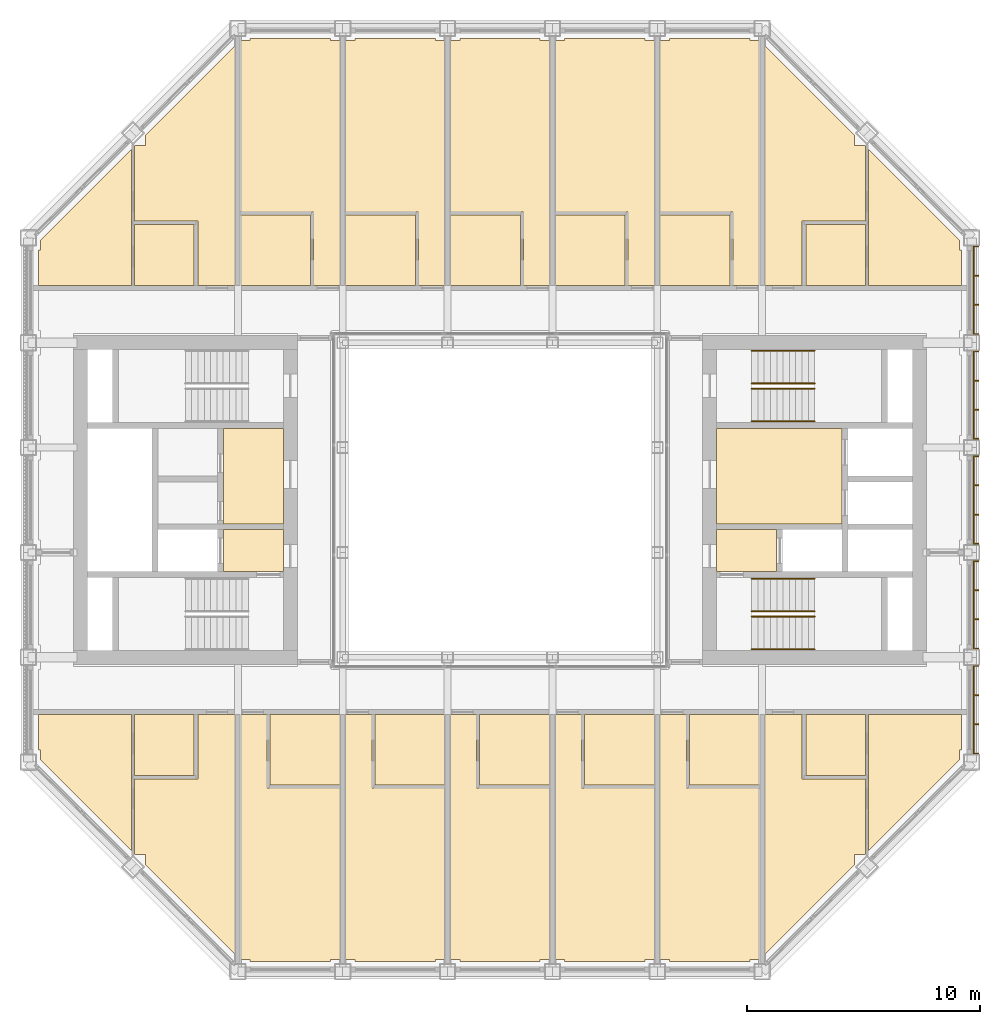
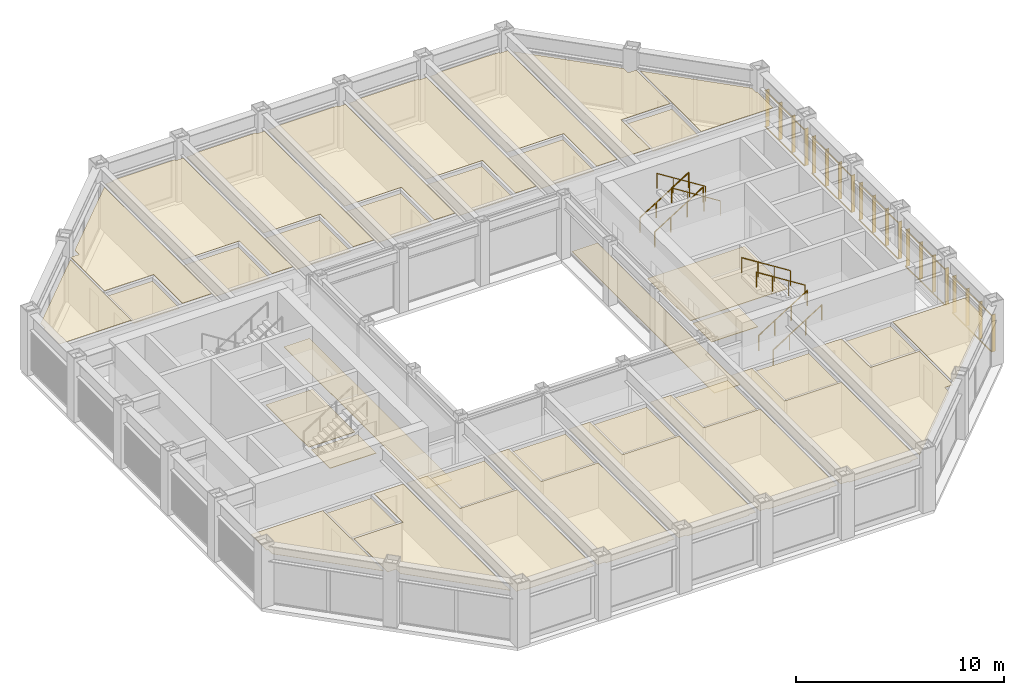
# One storey, part 17 of 18: 8 railings, 3 coverings, 1 shading device.
"""IFC4 building model written with IfcOpenShell, lengths in metres."""

from ifc_helpers import new_model, si_unit, direction, frame, origin, origin_2d, place, context, subcontext, project, spatial, line, indexed_curve, rectangle, circle, outline, extrude, material, layer, layer_set, type_object, element, save


model = new_model("IFC4")

# Units and contexts
model_context = context("Model", 3, precision=1e-05, world=origin(), true_north=direction((0.0, 1.0)))
body_context = subcontext(model_context, "Body", "Model", "MODEL_VIEW")
ifc_project = project(units=[si_unit("LENGTHUNIT", "METRE"), si_unit("AREAUNIT", "SQUARE_METRE"), si_unit("VOLUMEUNIT", "CUBIC_METRE"), si_unit("PLANEANGLEUNIT", "RADIAN"), si_unit("MASSUNIT", "GRAM", prefix="KILO")], contexts=[model_context])

# Site, building, storey
site_placement = place(None, origin())
site = spatial("IfcSite", under=ifc_project, at=site_placement, CompositionType="ELEMENT")
building_placement = place(site_placement, origin())
building = spatial("IfcBuilding", under=site, at=building_placement, Name="Msasa Ring Tower", CompositionType="ELEMENT")
storey_placement = place(building_placement, frame((0.0, 0.0, 204.550048828125)))
storey = spatial("IfcBuildingStorey", under=building, at=storey_placement, Name="L53", CompositionType="ELEMENT", Elevation=204.550048828125)

# Shading device
ifc_material_1 = material(Name="Extruded terracotta on aluminium carriers", Category="masonry")
shading_device_type = type_object("IfcShadingDeviceType", Name="BS2 TERRACOTTA FIN SCREEN 40x200 AT 1350", PredefinedType="USERDEFINED", material=ifc_material_1)
shading_device_placement = place(storey_placement, origin())
element("IfcShadingDevice", 1, at=shading_device_placement, inside=storey, type_object=shading_device_type, Name="Terracotta fin screen E L53", ObjectType="BAGUETTE", PredefinedType="USERDEFINED", context=body_context, shape_type="SweptSolid", body=[
    extrude(rectangle(XDim=0.06005859375, YDim=0.0400390625, at=origin_2d()), frame((20.330078125, -10.89990234375, 0.329833984375), z_axis=(0.0, 1.0, 0.0), x_axis=(0.0, 0.0, 1.0)), (0.0, 0.0, 1.0), 3.800048828125),
    extrude(rectangle(XDim=0.06005859375, YDim=0.0400390625, at=origin_2d()), frame((20.330078125, -10.89990234375, 2.448974609375), z_axis=(0.0, 1.0, 0.0), x_axis=(0.0, 0.0, 1.0)), (0.0, 0.0, 1.0), 3.800048828125),
    extrude(rectangle(XDim=0.0400390625, YDim=0.199951171875, at=origin_2d()), frame((20.445068359375, -10.8798828125, 0.300048828125), z_axis=(0.0, 0.0, 1.0), x_axis=(0.0, 1.0, 0.0)), (0.0, 0.0, 1.0), 2.178955078125),
    extrude(rectangle(XDim=0.0400390625, YDim=0.199951171875, at=origin_2d()), frame((20.445068359375, -9.626708984375, 0.300048828125), z_axis=(0.0, 0.0, 1.0), x_axis=(0.0, 1.0, 0.0)), (0.0, 0.0, 1.0), 2.178955078125),
    extrude(rectangle(XDim=0.0400390625, YDim=0.199951171875, at=origin_2d()), frame((20.445068359375, -8.373291015625, 0.300048828125), z_axis=(0.0, 0.0, 1.0), x_axis=(0.0, 1.0, 0.0)), (0.0, 0.0, 1.0), 2.178955078125),
    extrude(rectangle(XDim=0.0400390625, YDim=0.199951171875, at=origin_2d()), frame((20.445068359375, -7.1201171875, 0.300048828125), z_axis=(0.0, 0.0, 1.0), x_axis=(0.0, 1.0, 0.0)), (0.0, 0.0, 1.0), 2.178955078125),
    extrude(rectangle(XDim=0.06005859375, YDim=0.0400390625, at=origin_2d()), frame((20.330078125, -6.39990234375, 0.329833984375), z_axis=(0.0, 1.0, 0.0), x_axis=(0.0, 0.0, 1.0)), (0.0, 0.0, 1.0), 3.800048828125),
    extrude(rectangle(XDim=0.06005859375, YDim=0.0400390625, at=origin_2d()), frame((20.330078125, -6.39990234375, 2.448974609375), z_axis=(0.0, 1.0, 0.0), x_axis=(0.0, 0.0, 1.0)), (0.0, 0.0, 1.0), 3.800048828125),
    extrude(rectangle(XDim=0.0400390625, YDim=0.199951171875, at=origin_2d()), frame((20.445068359375, -6.3798828125, 0.300048828125), z_axis=(0.0, 0.0, 1.0), x_axis=(0.0, 1.0, 0.0)), (0.0, 0.0, 1.0), 2.178955078125),
    extrude(rectangle(XDim=0.0400390625, YDim=0.199951171875, at=origin_2d()), frame((20.445068359375, -5.126708984375, 0.300048828125), z_axis=(0.0, 0.0, 1.0), x_axis=(0.0, 1.0, 0.0)), (0.0, 0.0, 1.0), 2.178955078125),
    extrude(rectangle(XDim=0.0400390625, YDim=0.199951171875, at=origin_2d()), frame((20.445068359375, -3.873291015625, 0.300048828125), z_axis=(0.0, 0.0, 1.0), x_axis=(0.0, 1.0, 0.0)), (0.0, 0.0, 1.0), 2.178955078125),
    extrude(rectangle(XDim=0.0400390625, YDim=0.199951171875, at=origin_2d()), frame((20.445068359375, -2.6201171875, 0.300048828125), z_axis=(0.0, 0.0, 1.0), x_axis=(0.0, 1.0, 0.0)), (0.0, 0.0, 1.0), 2.178955078125),
    extrude(rectangle(XDim=0.06005859375, YDim=0.0400390625, at=origin_2d()), frame((20.330078125, -1.89990234375, 0.329833984375), z_axis=(0.0, 1.0, 0.0), x_axis=(0.0, 0.0, 1.0)), (0.0, 0.0, 1.0), 3.800048828125),
    extrude(rectangle(XDim=0.06005859375, YDim=0.0400390625, at=origin_2d()), frame((20.330078125, -1.89990234375, 2.448974609375), z_axis=(0.0, 1.0, 0.0), x_axis=(0.0, 0.0, 1.0)), (0.0, 0.0, 1.0), 3.800048828125),
    extrude(rectangle(XDim=0.0400390625, YDim=0.199951171875, at=origin_2d()), frame((20.445068359375, -1.8798828125, 0.300048828125), z_axis=(0.0, 0.0, 1.0), x_axis=(0.0, 1.0, 0.0)), (0.0, 0.0, 1.0), 2.178955078125),
    extrude(rectangle(XDim=0.0400390625, YDim=0.199951171875, at=origin_2d()), frame((20.445068359375, -0.626708984375, 0.300048828125), z_axis=(0.0, 0.0, 1.0), x_axis=(0.0, 1.0, 0.0)), (0.0, 0.0, 1.0), 2.178955078125),
    extrude(rectangle(XDim=0.0400390625, YDim=0.199951171875, at=origin_2d()), frame((20.445068359375, 0.626708984375, 0.300048828125), z_axis=(0.0, 0.0, 1.0), x_axis=(0.0, 1.0, 0.0)), (0.0, 0.0, 1.0), 2.178955078125),
    extrude(rectangle(XDim=0.0400390625, YDim=0.199951171875, at=origin_2d()), frame((20.445068359375, 1.8798828125, 0.300048828125), z_axis=(0.0, 0.0, 1.0), x_axis=(0.0, 1.0, 0.0)), (0.0, 0.0, 1.0), 2.178955078125),
    extrude(rectangle(XDim=0.06005859375, YDim=0.0400390625, at=origin_2d()), frame((20.330078125, 2.60009765625, 0.329833984375), z_axis=(0.0, 1.0, 0.0), x_axis=(0.0, 0.0, 1.0)), (0.0, 0.0, 1.0), 3.800048828125),
    extrude(rectangle(XDim=0.06005859375, YDim=0.0400390625, at=origin_2d()), frame((20.330078125, 2.60009765625, 2.448974609375), z_axis=(0.0, 1.0, 0.0), x_axis=(0.0, 0.0, 1.0)), (0.0, 0.0, 1.0), 3.800048828125),
    extrude(rectangle(XDim=0.0400390625, YDim=0.199951171875, at=origin_2d()), frame((20.445068359375, 2.6201171875, 0.300048828125), z_axis=(0.0, 0.0, 1.0), x_axis=(0.0, 1.0, 0.0)), (0.0, 0.0, 1.0), 2.178955078125),
    extrude(rectangle(XDim=0.0400390625, YDim=0.199951171875, at=origin_2d()), frame((20.445068359375, 3.873291015625, 0.300048828125), z_axis=(0.0, 0.0, 1.0), x_axis=(0.0, 1.0, 0.0)), (0.0, 0.0, 1.0), 2.178955078125),
    extrude(rectangle(XDim=0.0400390625, YDim=0.199951171875, at=origin_2d()), frame((20.445068359375, 5.126708984375, 0.300048828125), z_axis=(0.0, 0.0, 1.0), x_axis=(0.0, 1.0, 0.0)), (0.0, 0.0, 1.0), 2.178955078125),
    extrude(rectangle(XDim=0.0400390625, YDim=0.199951171875, at=origin_2d()), frame((20.445068359375, 6.3798828125, 0.300048828125), z_axis=(0.0, 0.0, 1.0), x_axis=(0.0, 1.0, 0.0)), (0.0, 0.0, 1.0), 2.178955078125),
    extrude(rectangle(XDim=0.06005859375, YDim=0.0400390625, at=origin_2d()), frame((20.330078125, 7.10009765625, 0.329833984375), z_axis=(0.0, 1.0, 0.0), x_axis=(0.0, 0.0, 1.0)), (0.0, 0.0, 1.0), 3.800048828125),
    extrude(rectangle(XDim=0.06005859375, YDim=0.0400390625, at=origin_2d()), frame((20.330078125, 7.10009765625, 2.448974609375), z_axis=(0.0, 1.0, 0.0), x_axis=(0.0, 0.0, 1.0)), (0.0, 0.0, 1.0), 3.800048828125),
    extrude(rectangle(XDim=0.0400390625, YDim=0.199951171875, at=origin_2d()), frame((20.445068359375, 7.1201171875, 0.300048828125), z_axis=(0.0, 0.0, 1.0), x_axis=(0.0, 1.0, 0.0)), (0.0, 0.0, 1.0), 2.178955078125),
    extrude(rectangle(XDim=0.0400390625, YDim=0.199951171875, at=origin_2d()), frame((20.445068359375, 8.373291015625, 0.300048828125), z_axis=(0.0, 0.0, 1.0), x_axis=(0.0, 1.0, 0.0)), (0.0, 0.0, 1.0), 2.178955078125),
    extrude(rectangle(XDim=0.0400390625, YDim=0.199951171875, at=origin_2d()), frame((20.445068359375, 9.626708984375, 0.300048828125), z_axis=(0.0, 0.0, 1.0), x_axis=(0.0, 1.0, 0.0)), (0.0, 0.0, 1.0), 2.178955078125),
    extrude(rectangle(XDim=0.0400390625, YDim=0.199951171875, at=origin_2d()), frame((20.445068359375, 10.8798828125, 0.300048828125), z_axis=(0.0, 0.0, 1.0), x_axis=(0.0, 1.0, 0.0)), (0.0, 0.0, 1.0), 2.178955078125),
])

# Coverings
ifc_material_2 = material(Name="Gypsum plasterboard on a steel suspension grid", Category="steel")
ifc_layer_1 = layer(ifc_material_2, 0.014892578125)
ifc_layer_set_1 = layer_set([ifc_layer_1], Name="C1 SUSPENDED PLASTERBOARD CEILING 15")
covering_type_1 = type_object("IfcCoveringType", Name="C1 SUSPENDED PLASTERBOARD CEILING 15", PredefinedType="CEILING", material=ifc_layer_set_1)
covering_1_placement = place(storey_placement, frame((0.0, 0.0, 2.634033203125)))
element("IfcCovering", 2, at=covering_1_placement, inside=storey, type_object=covering_type_1, Name="Suspended Plasterboard Ceiling 15 L53", PredefinedType="CEILING", context=body_context, shape_type="SweptSolid", body=[
    extrude(outline(indexed_curve([(-15.810546875, -15.052490234375), (-19.724609375, -11.138427734375), (-19.724609375, -10.724609375), (-19.799560546875, -10.724609375), (-19.799560546875, -9.200439453125), (-15.810546875, -9.200439453125)], segments=[line(1, 2, 3, 4, 5, 6, 1)], self_intersect=False)), origin(), (0.0, 0.0, 1.0), 0.014892578125),
    extrude(outline(indexed_curve([(-19.799560546875, 9.200439453125), (-19.799560546875, 10.724609375), (-19.724609375, 10.724609375), (-19.724609375, 11.138427734375), (-15.810546875, 15.052490234375), (-15.810546875, 9.200439453125)], segments=[line(1, 2, 3, 4, 5, 6, 1)], self_intersect=False)), origin(), (0.0, 0.0, 1.0), 0.014892578125),
    extrude(outline(indexed_curve([(-11.3505859375, -9.200439453125), (-11.3505859375, -19.512451171875), (-15.224609375, -15.638427734375), (-15.224609375, -15.224609375), (-15.638427734375, -15.224609375), (-15.689453125, -15.17333984375), (-15.689453125, -11.98046875), (-12.969482421875, -11.98046875), (-12.969482421875, -9.200439453125)], segments=[line(1, 2, 3, 4, 5, 6, 7, 8, 9, 1)], self_intersect=False)), origin(), (0.0, 0.0, 1.0), 0.014892578125),
    extrude(outline(indexed_curve([(-15.638427734375, 15.224609375), (-15.224609375, 15.224609375), (-15.224609375, 15.638427734375), (-11.3505859375, 19.512451171875), (-11.3505859375, 9.200439453125), (-12.969482421875, 9.200439453125), (-12.969482421875, 11.98046875), (-15.689453125, 11.98046875), (-15.689453125, 15.17333984375)], segments=[line(1, 2, 3, 4, 5, 6, 7, 8, 9, 1)], self_intersect=False)), origin(), (0.0, 0.0, 1.0), 0.014892578125),
    extrude(outline(indexed_curve([(-10.724609375, -19.799560546875), (-10.724609375, -19.724609375), (-11.138427734375, -19.724609375), (-11.1494140625, -19.71337890625), (-11.1494140625, -9.200439453125), (-10.00048828125, -9.200439453125), (-10.00048828125, -12.3505859375), (-6.8505859375, -12.3505859375), (-6.8505859375, -19.724609375), (-7.275390625, -19.724609375), (-7.275390625, -19.799560546875)], segments=[line(1, 2, 3, 4, 5, 6, 7, 8, 9, 10, 11, 1)], self_intersect=False)), origin(), (0.0, 0.0, 1.0), 0.014892578125),
    extrude(outline(indexed_curve([(-7.275390625, 19.799560546875), (-7.275390625, 19.724609375), (-6.8505859375, 19.724609375), (-6.8505859375, 9.200439453125), (-7.99951171875, 9.200439453125), (-7.99951171875, 12.3505859375), (-11.1494140625, 12.3505859375), (-11.1494140625, 19.71337890625), (-11.138427734375, 19.724609375), (-10.724609375, 19.724609375), (-10.724609375, 19.799560546875)], segments=[line(1, 2, 3, 4, 5, 6, 7, 8, 9, 10, 11, 1)], self_intersect=False)), origin(), (0.0, 0.0, 1.0), 0.014892578125),
    extrude(outline(indexed_curve([(-6.224609375, -19.799560546875), (-6.224609375, -19.724609375), (-6.6494140625, -19.724609375), (-6.6494140625, -9.200439453125), (-5.50048828125, -9.200439453125), (-5.50048828125, -12.3505859375), (-2.3505859375, -12.3505859375), (-2.3505859375, -19.724609375), (-2.775390625, -19.724609375), (-2.775390625, -19.799560546875)], segments=[line(1, 2, 3, 4, 5, 6, 7, 8, 9, 10, 1)], self_intersect=False)), origin(), (0.0, 0.0, 1.0), 0.014892578125),
    extrude(outline(indexed_curve([(-2.3505859375, 9.200439453125), (-3.49951171875, 9.200439453125), (-3.49951171875, 12.3505859375), (-6.6494140625, 12.3505859375), (-6.6494140625, 19.724609375), (-6.224609375, 19.724609375), (-6.224609375, 19.799560546875), (-2.775390625, 19.799560546875), (-2.775390625, 19.724609375), (-2.3505859375, 19.724609375)], segments=[line(1, 2, 3, 4, 5, 6, 7, 8, 9, 10, 1)], self_intersect=False)), origin(), (0.0, 0.0, 1.0), 0.014892578125),
    extrude(outline(indexed_curve([(-1.724609375, -19.799560546875), (-1.724609375, -19.724609375), (-2.1494140625, -19.724609375), (-2.1494140625, -9.200439453125), (-1.00048828125, -9.200439453125), (-1.00048828125, -12.3505859375), (2.1494140625, -12.3505859375), (2.1494140625, -19.724609375), (1.724609375, -19.724609375), (1.724609375, -19.799560546875)], segments=[line(1, 2, 3, 4, 5, 6, 7, 8, 9, 10, 1)], self_intersect=False)), origin(), (0.0, 0.0, 1.0), 0.014892578125),
    extrude(outline(indexed_curve([(1.724609375, 19.799560546875), (1.724609375, 19.724609375), (2.1494140625, 19.724609375), (2.1494140625, 9.200439453125), (1.00048828125, 9.200439453125), (1.00048828125, 12.3505859375), (-2.1494140625, 12.3505859375), (-2.1494140625, 19.724609375), (-1.724609375, 19.724609375), (-1.724609375, 19.799560546875)], segments=[line(1, 2, 3, 4, 5, 6, 7, 8, 9, 10, 1)], self_intersect=False)), origin(), (0.0, 0.0, 1.0), 0.014892578125),
    extrude(outline(indexed_curve([(2.775390625, -19.799560546875), (2.775390625, -19.724609375), (2.3505859375, -19.724609375), (2.3505859375, -9.200439453125), (3.49951171875, -9.200439453125), (3.49951171875, -12.3505859375), (6.6494140625, -12.3505859375), (6.6494140625, -19.724609375), (6.224609375, -19.724609375), (6.224609375, -19.799560546875)], segments=[line(1, 2, 3, 4, 5, 6, 7, 8, 9, 10, 1)], self_intersect=False)), origin(), (0.0, 0.0, 1.0), 0.014892578125),
    extrude(outline(indexed_curve([(6.6494140625, 9.200439453125), (5.50048828125, 9.200439453125), (5.50048828125, 12.3505859375), (2.3505859375, 12.3505859375), (2.3505859375, 19.724609375), (2.775390625, 19.724609375), (2.775390625, 19.799560546875), (6.224609375, 19.799560546875), (6.224609375, 19.724609375), (6.6494140625, 19.724609375)], segments=[line(1, 2, 3, 4, 5, 6, 7, 8, 9, 10, 1)], self_intersect=False)), origin(), (0.0, 0.0, 1.0), 0.014892578125),
    extrude(outline(indexed_curve([(11.138427734375, -19.724609375), (10.724609375, -19.724609375), (10.724609375, -19.799560546875), (7.275390625, -19.799560546875), (7.275390625, -19.724609375), (6.8505859375, -19.724609375), (6.8505859375, -9.200439453125), (7.99951171875, -9.200439453125), (7.99951171875, -12.3505859375), (11.1494140625, -12.3505859375), (11.1494140625, -19.71337890625)], segments=[line(1, 2, 3, 4, 5, 6, 7, 8, 9, 10, 11, 1)], self_intersect=False)), origin(), (0.0, 0.0, 1.0), 0.014892578125),
    extrude(outline(indexed_curve([(11.1494140625, 19.71337890625), (11.1494140625, 9.200439453125), (10.00048828125, 9.200439453125), (10.00048828125, 12.3505859375), (6.8505859375, 12.3505859375), (6.8505859375, 19.724609375), (7.275390625, 19.724609375), (7.275390625, 19.799560546875), (10.724609375, 19.799560546875), (10.724609375, 19.724609375), (11.138427734375, 19.724609375)], segments=[line(1, 2, 3, 4, 5, 6, 7, 8, 9, 10, 11, 1)], self_intersect=False)), origin(), (0.0, 0.0, 1.0), 0.014892578125),
    extrude(outline(indexed_curve([(15.638427734375, -15.224609375), (15.224609375, -15.224609375), (15.224609375, -15.638427734375), (11.3505859375, -19.512451171875), (11.3505859375, -9.200439453125), (12.969482421875, -9.200439453125), (12.969482421875, -11.98046875), (15.689453125, -11.98046875), (15.689453125, -15.17333984375)], segments=[line(1, 2, 3, 4, 5, 6, 7, 8, 9, 1)], self_intersect=False)), origin(), (0.0, 0.0, 1.0), 0.014892578125),
    extrude(outline(indexed_curve([(11.3505859375, 9.200439453125), (11.3505859375, 19.512451171875), (15.224609375, 15.638427734375), (15.224609375, 15.224609375), (15.638427734375, 15.224609375), (15.689453125, 15.17333984375), (15.689453125, 11.98046875), (12.969482421875, 11.98046875), (12.969482421875, 9.200439453125)], segments=[line(1, 2, 3, 4, 5, 6, 7, 8, 9, 1)], self_intersect=False)), origin(), (0.0, 0.0, 1.0), 0.014892578125),
    extrude(outline(indexed_curve([(19.799560546875, -9.200439453125), (19.799560546875, -10.724609375), (19.724609375, -10.724609375), (19.724609375, -11.138427734375), (15.810546875, -15.052490234375), (15.810546875, -9.200439453125)], segments=[line(1, 2, 3, 4, 5, 6, 1)], self_intersect=False)), origin(), (0.0, 0.0, 1.0), 0.014892578125),
    extrude(outline(indexed_curve([(15.810546875, 15.052490234375), (19.724609375, 11.138427734375), (19.724609375, 10.724609375), (19.799560546875, 10.724609375), (19.799560546875, 9.200439453125), (15.810546875, 9.200439453125)], segments=[line(1, 2, 3, 4, 5, 6, 1)], self_intersect=False)), origin(), (0.0, 0.0, 1.0), 0.014892578125),
])
ifc_material_3 = material(Name="Moisture-resistant gypsum plasterboard on a steel suspension grid", Category="steel")
ifc_layer_2 = layer(ifc_material_3, 0.014892578125)
ifc_layer_set_2 = layer_set([ifc_layer_2], Name="C2 MOISTURE-RESISTANT PLASTERBOARD CEILING 15")
covering_type_2 = type_object("IfcCoveringType", Name="C2 MOISTURE-RESISTANT PLASTERBOARD CEILING 15", PredefinedType="CEILING", material=ifc_layer_set_2)
covering_2_placement = place(storey_placement, frame((0.0, 0.0, 2.39990234375)))
element("IfcCovering", 3, at=covering_2_placement, inside=storey, type_object=covering_type_2, Name="Moisture-Resistant Plasterboard Ceiling 15 L53", PredefinedType="CEILING", context=body_context, shape_type="SweptSolid", body=[
    extrude(outline(indexed_curve([(-15.689453125, -9.200439453125), (-13.130615234375, -9.200439453125), (-13.130615234375, -11.819580078125), (-15.689453125, -11.819580078125)], segments=[line(1, 2, 3, 4, 1)], self_intersect=False)), origin(), (0.0, 0.0, 1.0), 0.01513671875),
    extrude(outline(indexed_curve([(-15.689453125, 11.819580078125), (-13.130615234375, 11.819580078125), (-13.130615234375, 9.200439453125), (-15.689453125, 9.200439453125)], segments=[line(1, 2, 3, 4, 1)], self_intersect=False)), origin(), (0.0, 0.0, 1.0), 0.01513671875),
    extrude(outline(indexed_curve([(-11.1494140625, 12.224609375), (-8.12548828125, 12.224609375), (-8.12548828125, 9.200439453125), (-11.1494140625, 9.200439453125)], segments=[line(1, 2, 3, 4, 1)], self_intersect=False)), origin(), (0.0, 0.0, 1.0), 0.01513671875),
    extrude(outline(indexed_curve([(-6.8505859375, -9.200439453125), (-6.8505859375, -12.224609375), (-9.87451171875, -12.224609375), (-9.87451171875, -9.200439453125)], segments=[line(1, 2, 3, 4, 1)], self_intersect=False)), origin(), (0.0, 0.0, 1.0), 0.01513671875),
    extrude(outline(indexed_curve([(-6.6494140625, 9.200439453125), (-6.6494140625, 12.224609375), (-3.62548828125, 12.224609375), (-3.62548828125, 9.200439453125)], segments=[line(1, 2, 3, 4, 1)], self_intersect=False)), origin(), (0.0, 0.0, 1.0), 0.01513671875),
    extrude(outline(indexed_curve([(-2.3505859375, -9.200439453125), (-2.3505859375, -12.224609375), (-5.37451171875, -12.224609375), (-5.37451171875, -9.200439453125)], segments=[line(1, 2, 3, 4, 1)], self_intersect=False)), origin(), (0.0, 0.0, 1.0), 0.01513671875),
    extrude(outline(indexed_curve([(-2.1494140625, 12.224609375), (0.87451171875, 12.224609375), (0.87451171875, 9.200439453125), (-2.1494140625, 9.200439453125)], segments=[line(1, 2, 3, 4, 1)], self_intersect=False)), origin(), (0.0, 0.0, 1.0), 0.01513671875),
    extrude(outline(indexed_curve([(2.1494140625, -9.200439453125), (2.1494140625, -12.224609375), (-0.87451171875, -12.224609375), (-0.87451171875, -9.200439453125)], segments=[line(1, 2, 3, 4, 1)], self_intersect=False)), origin(), (0.0, 0.0, 1.0), 0.01513671875),
    extrude(outline(indexed_curve([(2.3505859375, 12.224609375), (5.37451171875, 12.224609375), (5.37451171875, 9.200439453125), (2.3505859375, 9.200439453125)], segments=[line(1, 2, 3, 4, 1)], self_intersect=False)), origin(), (0.0, 0.0, 1.0), 0.01513671875),
    extrude(outline(indexed_curve([(6.6494140625, -9.200439453125), (6.6494140625, -12.224609375), (3.62548828125, -12.224609375), (3.62548828125, -9.200439453125)], segments=[line(1, 2, 3, 4, 1)], self_intersect=False)), origin(), (0.0, 0.0, 1.0), 0.01513671875),
    extrude(outline(indexed_curve([(6.8505859375, 9.200439453125), (6.8505859375, 12.224609375), (9.87451171875, 12.224609375), (9.87451171875, 9.200439453125)], segments=[line(1, 2, 3, 4, 1)], self_intersect=False)), origin(), (0.0, 0.0, 1.0), 0.01513671875),
    extrude(outline(indexed_curve([(11.1494140625, -9.200439453125), (11.1494140625, -12.224609375), (8.12548828125, -12.224609375), (8.12548828125, -9.200439453125)], segments=[line(1, 2, 3, 4, 1)], self_intersect=False)), origin(), (0.0, 0.0, 1.0), 0.01513671875),
    extrude(outline(indexed_curve([(13.130615234375, -9.200439453125), (15.689453125, -9.200439453125), (15.689453125, -11.819580078125), (13.130615234375, -11.819580078125)], segments=[line(1, 2, 3, 4, 1)], self_intersect=False)), origin(), (0.0, 0.0, 1.0), 0.01513671875),
    extrude(outline(indexed_curve([(13.130615234375, 11.819580078125), (15.689453125, 11.819580078125), (15.689453125, 9.200439453125), (13.130615234375, 9.200439453125)], segments=[line(1, 2, 3, 4, 1)], self_intersect=False)), origin(), (0.0, 0.0, 1.0), 0.01513671875),
])
ifc_material_4 = material(Name="Honed granite tiles on a mortar bed", Category="masonry")
ifc_layer_3 = layer(ifc_material_4, 0.030029296875)
ifc_layer_set_3 = layer_set([ifc_layer_3], Name="F1 HONED GRANITE ON BEDDING 30")
covering_type_3 = type_object("IfcCoveringType", Name="F1 HONED GRANITE ON BEDDING 30", PredefinedType="FLOORING", material=ifc_layer_set_3)
covering_3_placement = place(storey_placement, origin())
element("IfcCovering", 4, at=covering_3_placement, inside=storey, type_object=covering_type_3, Name="Honed Granite On Bedding 30 L53", PredefinedType="FLOORING", context=body_context, shape_type="SweptSolid", body=[
    extrude(outline(indexed_curve([(-11.87451171875, -3.074462890625), (-11.87451171875, -1.275390625), (-9.300537109375, -1.275390625), (-9.300537109375, -3.074462890625)], segments=[line(1, 2, 3, 4, 1)], self_intersect=False)), origin(), (0.0, 0.0, 1.0), 0.030029296875),
    extrude(outline(indexed_curve([(-11.87451171875, 3.074462890625), (-9.300537109375, 3.074462890625), (-9.300537109375, -1.0244140625), (-11.87451171875, -1.0244140625)], segments=[line(1, 2, 3, 4, 1)], self_intersect=False)), origin(), (0.0, 0.0, 1.0), 0.030029296875),
    extrude(outline(indexed_curve([(-8.699462890625, 6.849609375), (-7.280029296875, 6.849609375), (-7.280029296875, -6.849609375), (-8.699462890625, -6.849609375)], segments=[line(1, 2, 3, 4, 1)], self_intersect=False)), origin(), (0.0, 0.0, 1.0), 0.030029296875),
    extrude(outline(indexed_curve([(7.280029296875, -6.849609375), (7.280029296875, 6.849609375), (8.699462890625, 6.849609375), (8.699462890625, -6.849609375)], segments=[line(1, 2, 3, 4, 1)], self_intersect=False)), origin(), (0.0, 0.0, 1.0), 0.030029296875),
    extrude(outline(indexed_curve([(9.300537109375, -1.275390625), (11.87451171875, -1.275390625), (11.87451171875, -3.074462890625), (9.300537109375, -3.074462890625)], segments=[line(1, 2, 3, 4, 1)], self_intersect=False)), origin(), (0.0, 0.0, 1.0), 0.030029296875),
    extrude(outline(indexed_curve([(9.300537109375, 3.074462890625), (14.674560546875, 3.074462890625), (14.674560546875, -1.0244140625), (9.300537109375, -1.0244140625)], segments=[line(1, 2, 3, 4, 1)], self_intersect=False)), origin(), (0.0, 0.0, 1.0), 0.030029296875),
])

# Railings
ifc_material_5 = material(Name="Stainless steel", Category="steel")
railing_type = type_object("IfcRailingType", Name="HR1 HANDRAIL 900", PredefinedType="HANDRAIL", material=ifc_material_5)
for number, where, name in (
    (5, (10.800048828125, -6.39990234375, 0.17041015625), "Handrail stair SEA L53 1"),
    (6, (10.800048828125, -5.0, 0.17041015625), "Handrail stair SEA L53 2"),
):
    element("IfcRailing", number, at=place(storey_placement, frame(where)), inside=storey, type_object=railing_type, Name=name, PredefinedType="HANDRAIL", context=body_context, shape_type="SweptSolid", body=[
        extrude(circle(Radius=0.02392578125, at=origin_2d()), frame((0.0, 0.0, 0.8759765625), z_axis=(0.845579735284, 0.0, 0.533849146555), x_axis=(0.0, 1.0, 0.0)), (0.0, 0.0, 1.0), 3.193115234375),
        extrude(circle(Radius=0.02099609375, at=origin_2d()), origin(), (0.0, 0.0, 1.0), 0.851806640625),
        extrude(circle(Radius=0.02099609375, at=origin_2d()), frame((0.89990234375, 0.0, 0.568115234375)), (0.0, 0.0, 1.0), 0.851806640625),
        extrude(circle(Radius=0.02099609375, at=origin_2d()), frame((1.800048828125, 0.0, 1.136474609375)), (0.0, 0.0, 1.0), 0.851806640625),
        extrude(circle(Radius=0.02099609375, at=origin_2d()), frame((2.699951171875, 0.0, 1.70458984375)), (0.0, 0.0, 1.0), 0.851806640625),
    ])
for number, where, name in (
    (7, (13.5, -4.77490234375, 2.04541015625), "Handrail stair SEA L53 3"),
    (8, (13.5, -3.375, 2.04541015625), "Handrail stair SEA L53 4"),
):
    element("IfcRailing", number, at=place(storey_placement, frame(where)), inside=storey, type_object=railing_type, Name=name, PredefinedType="HANDRAIL", context=body_context, shape_type="SweptSolid", body=[
        extrude(circle(Radius=0.02392578125, at=origin_2d()), frame((0.0, 0.0, 0.8759765625), z_axis=(-0.845579735284, 0.0, 0.533849146555), x_axis=(0.0, -1.0, 0.0)), (0.0, 0.0, 1.0), 3.193115234375),
        extrude(circle(Radius=0.02099609375, at=origin_2d()), origin(), (0.0, 0.0, 1.0), 0.851806640625),
        extrude(circle(Radius=0.02099609375, at=origin_2d()), frame((-0.89990234375, 0.0, 0.568115234375)), (0.0, 0.0, 1.0), 0.851806640625),
        extrude(circle(Radius=0.02099609375, at=origin_2d()), frame((-1.800048828125, 0.0, 1.136474609375)), (0.0, 0.0, 1.0), 0.851806640625),
        extrude(circle(Radius=0.02099609375, at=origin_2d()), frame((-2.699951171875, 0.0, 1.70458984375)), (0.0, 0.0, 1.0), 0.851806640625),
    ])
for number, where, name in (
    (9, (10.800048828125, 5.0, 0.17041015625), "Handrail stair SEB L53 1"),
    (10, (10.800048828125, 6.39990234375, 0.17041015625), "Handrail stair SEB L53 2"),
):
    element("IfcRailing", number, at=place(storey_placement, frame(where)), inside=storey, type_object=railing_type, Name=name, PredefinedType="HANDRAIL", context=body_context, shape_type="SweptSolid", body=[
        extrude(circle(Radius=0.02392578125, at=origin_2d()), frame((0.0, 0.0, 0.8759765625), z_axis=(0.845579735284, 0.0, 0.533849146555), x_axis=(0.0, 1.0, 0.0)), (0.0, 0.0, 1.0), 3.193115234375),
        extrude(circle(Radius=0.02099609375, at=origin_2d()), origin(), (0.0, 0.0, 1.0), 0.851806640625),
        extrude(circle(Radius=0.02099609375, at=origin_2d()), frame((0.89990234375, 0.0, 0.568115234375)), (0.0, 0.0, 1.0), 0.851806640625),
        extrude(circle(Radius=0.02099609375, at=origin_2d()), frame((1.800048828125, 0.0, 1.136474609375)), (0.0, 0.0, 1.0), 0.851806640625),
        extrude(circle(Radius=0.02099609375, at=origin_2d()), frame((2.699951171875, 0.0, 1.70458984375)), (0.0, 0.0, 1.0), 0.851806640625),
    ])
for number, where, name in (
    (11, (13.5, 3.375, 2.04541015625), "Handrail stair SEB L53 3"),
    (12, (13.5, 4.77490234375, 2.04541015625), "Handrail stair SEB L53 4"),
):
    element("IfcRailing", number, at=place(storey_placement, frame(where)), inside=storey, type_object=railing_type, Name=name, PredefinedType="HANDRAIL", context=body_context, shape_type="SweptSolid", body=[
        extrude(circle(Radius=0.02392578125, at=origin_2d()), frame((0.0, 0.0, 0.8759765625), z_axis=(-0.845579735284, 0.0, 0.533849146555), x_axis=(0.0, -1.0, 0.0)), (0.0, 0.0, 1.0), 3.193115234375),
        extrude(circle(Radius=0.02099609375, at=origin_2d()), origin(), (0.0, 0.0, 1.0), 0.851806640625),
        extrude(circle(Radius=0.02099609375, at=origin_2d()), frame((-0.89990234375, 0.0, 0.568115234375)), (0.0, 0.0, 1.0), 0.851806640625),
        extrude(circle(Radius=0.02099609375, at=origin_2d()), frame((-1.800048828125, 0.0, 1.136474609375)), (0.0, 0.0, 1.0), 0.851806640625),
        extrude(circle(Radius=0.02099609375, at=origin_2d()), frame((-2.699951171875, 0.0, 1.70458984375)), (0.0, 0.0, 1.0), 0.851806640625),
    ])

save(model, "model.ifc")
